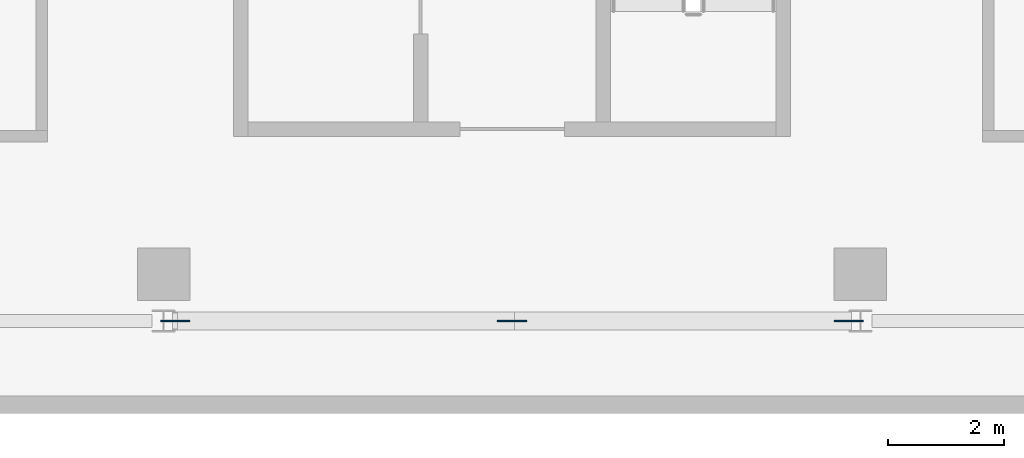
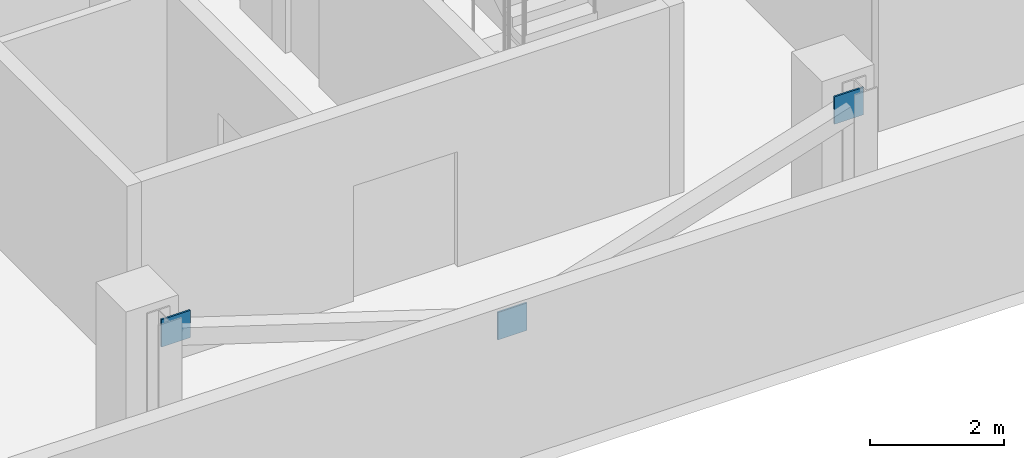
# One storey, part 21 of 28: 3 discrete accessories.
"""IFC4 building model written with IfcOpenShell, lengths in metres."""

from ifc_helpers import new_model, si_unit, direction, frame, origin, origin_2d, place, context, subcontext, project, spatial, rectangle, extrude, material, layer, layer_set, type_object, element, save


model = new_model("IFC4")

# Units and contexts
model_context = context("Model", 3, precision=1e-05, world=origin(), true_north=direction((0.0, 1.0)))
body_context = subcontext(model_context, "Body", "Model", "MODEL_VIEW")
ifc_project = project(units=[si_unit("LENGTHUNIT", "METRE"), si_unit("AREAUNIT", "SQUARE_METRE"), si_unit("VOLUMEUNIT", "CUBIC_METRE"), si_unit("PLANEANGLEUNIT", "RADIAN"), si_unit("MASSUNIT", "GRAM", prefix="KILO")], contexts=[model_context])

# Site, building, storey
site_placement = place(None, origin())
site = spatial("IfcSite", under=ifc_project, at=site_placement, CompositionType="ELEMENT")
building_placement = place(site_placement, origin())
building = spatial("IfcBuilding", under=site, at=building_placement, Name="Mahtab Terrace Research Tower", CompositionType="ELEMENT")
storey_placement = place(building_placement, frame((0.0, 0.0, 267.10009765625)))
storey = spatial("IfcBuildingStorey", under=building, at=storey_placement, Name="L65", CompositionType="ELEMENT", Elevation=267.10009765625)

# Discrete accessories
ifc_material = material(Name="Steel ASTM A992 Gr 50", Category="steel")
ifc_layer = layer(ifc_material, 0.030029296875)
ifc_layer_set = layer_set([ifc_layer], Name="Gusset plate 500x500x30")
discrete_accessory_type = type_object("IfcDiscreteAccessoryType", Name="Gusset plate 500x500x30", PredefinedType="USERDEFINED", material=ifc_layer_set)
for number, where, z_axis, x_axis, name in (
    (1, (-5.802978515625, -12.306884765625, 2.906494140625), (0.0, 0.0, 1.0), (1.0, 0.0, 0.0), "Gusset plate"),
    (2, (0.0, -12.306884765625, 1.00634765625), (0.0, 0.0, 1.0), (1.0, 0.0, 0.0), "Gusset plate"),
    (3, (5.802978515625, -12.306884765625, 2.906494140625), (0.0, 0.0, 1.0), (1.0, 0.0, 0.0), "Gusset plate"),
):
    element("IfcDiscreteAccessory", number, at=place(storey_placement, frame(where, z_axis=z_axis, x_axis=x_axis)), inside=storey, type_object=discrete_accessory_type, Name=name, ObjectType="GUSSET PLATE", PredefinedType="USERDEFINED", context=body_context, shape_type="SweptSolid", body=[
        extrude(rectangle(XDim=0.5, YDim=0.030029296875, at=origin_2d()), origin(), (0.0, 0.0, 1.0), 0.5),
    ])

save(model, "model.ifc")
